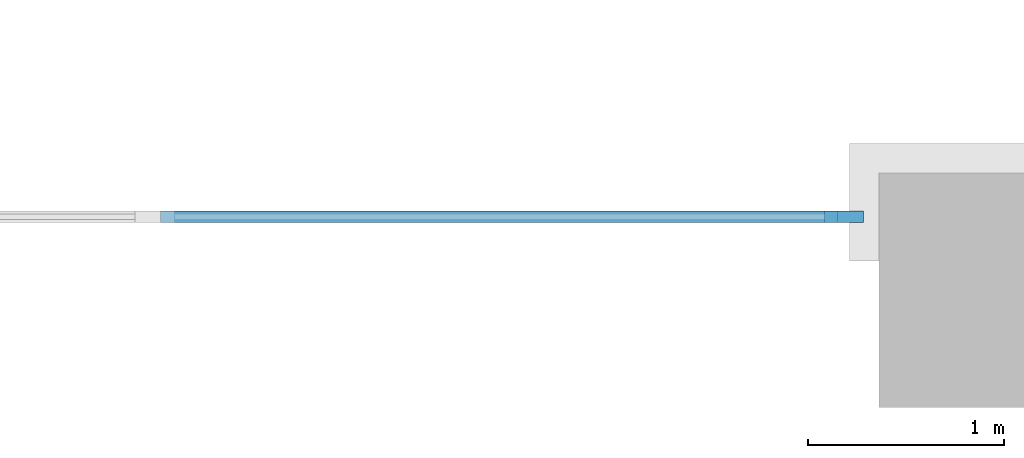
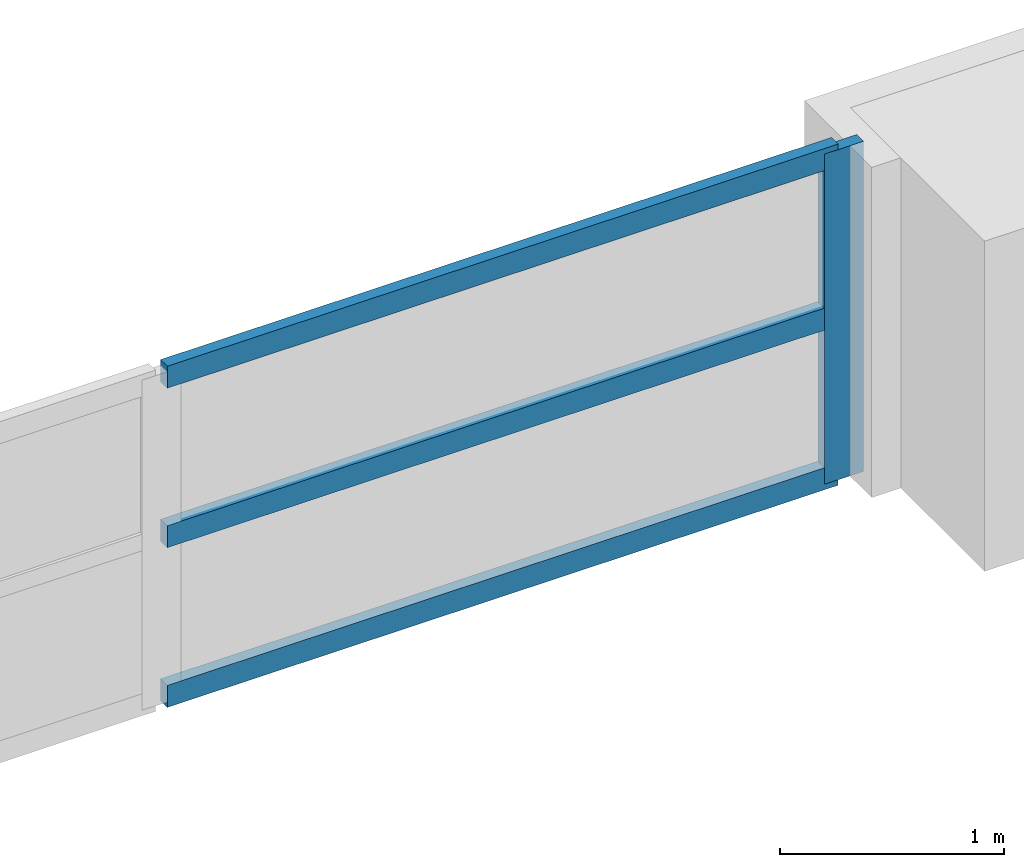
# One storey, part 7 of 32: 4 members, 1 element without a shape of its own.
"""IFC4 building model written with IfcOpenShell, lengths in metres."""

import ifcopenshell
import ifcopenshell.guid

model = None  # the IFC model being written
_history = None  # IfcOwnerHistory: only IFC2X3 demands one
_inside = {}  # id of a spatial element -> (the spatial element, [elements in it])
_under = {}  # id of a project, library or spatial element -> (it, [spatial elements below it])
_declared = {}  # id of a project -> (the project, [libraries it declares])
_typed = {}  # id of a type object -> (the type object, [elements of that type])
_made_of = {}  # id of a material, layer set ... -> (it, [elements and type objects made of it])


def new_model(schema):
    """Start an empty IFC model of exactly this schema.

    Asked for "IFC4X3", IfcOpenShell would pick the latest addendum, in which some entities
    have other attributes; the version numbers below select the first issue.
    IFC2X3 requires an IfcOwnerHistory on every rooted entity: one is made here for all.
    """
    global model, _history
    if schema == "IFC4X3":
        model = ifcopenshell.file(schema_version=(4, 3, 0, 0))
    else:
        model = ifcopenshell.file(schema=schema)
    _inside.clear()
    _under.clear()
    _declared.clear()
    _typed.clear()
    _made_of.clear()
    _history = None
    if model.schema == "IFC2X3":
        org = make("IfcOrganization", Name="unknown")
        user = make(
            "IfcPersonAndOrganization",
            ThePerson=make("IfcPerson", FamilyName="unknown"),
            TheOrganization=org,
        )
        app = make(
            "IfcApplication",
            ApplicationDeveloper=org,
            Version="unknown",
            ApplicationFullName="unknown",
            ApplicationIdentifier="unknown",
        )
        _history = make(
            "IfcOwnerHistory",
            OwningUser=user,
            OwningApplication=app,
            ChangeAction="ADDED",
            CreationDate=0,
        )
    return model


def make(cls, **values):
    """One entity of the class cls with the attributes given. An attribute that is None is left unset."""
    return model.create_entity(
        cls, **{name: value for name, value in values.items() if value is not None}
    )


def rooted(cls, **values):
    """An entity with a GlobalId (a new one), such as an element, a storey or a relation."""
    return make(cls, GlobalId=ifcopenshell.guid.new(), OwnerHistory=_history, **values)


def si_unit(unit_type, name, prefix=None):
    """IfcSIUnit, for example si_unit("LENGTHUNIT", "METRE", prefix="MILLI")."""
    return make("IfcSIUnit", UnitType=unit_type, Prefix=prefix, Name=name)


def assignment(units):
    """IfcUnitAssignment: the units of a project."""
    return None if units is None else make("IfcUnitAssignment", Units=units)


def point(xyz):
    """IfcCartesianPoint."""
    return None if xyz is None else make("IfcCartesianPoint", Coordinates=xyz)


def direction(xyz):
    """IfcDirection."""
    return None if xyz is None else make("IfcDirection", DirectionRatios=xyz)


def frame(location, z_axis=None, x_axis=None):
    """IfcAxis2Placement3D, a coordinate frame: its origin and axes. An axis left out is left unset."""
    return make(
        "IfcAxis2Placement3D",
        Location=point(location),
        Axis=direction(z_axis),
        RefDirection=direction(x_axis),
    )


def frame_2d(location, x_axis=None):
    """IfcAxis2Placement2D, a coordinate frame in the plane: its origin and x axis."""
    return make(
        "IfcAxis2Placement2D", Location=point(location), RefDirection=direction(x_axis)
    )


def origin():
    """The frame at (0, 0, 0) with its axes left unset."""
    return frame((0.0, 0.0, 0.0))


def origin_2d():
    """The frame at (0, 0) in the plane with its x axis left unset."""
    return frame_2d((0.0, 0.0))


def place(relative_to, where):
    """IfcLocalPlacement: puts the frame where relative to a parent placement (None: the world)."""
    return make(
        "IfcLocalPlacement", PlacementRelTo=relative_to, RelativePlacement=where
    )


def context(
    kind, dimensions, precision=None, world=None, true_north=None, identifier=None
):
    """IfcGeometricRepresentationContext, for example the 3D "Model" context."""
    return make(
        "IfcGeometricRepresentationContext",
        ContextIdentifier=identifier,
        ContextType=kind,
        CoordinateSpaceDimension=dimensions,
        Precision=precision,
        WorldCoordinateSystem=world,
        TrueNorth=true_north,
    )


def subcontext(parent, identifier, kind, view, scale=None):
    """IfcGeometricRepresentationSubContext, for example "Body" below "Model"."""
    return make(
        "IfcGeometricRepresentationSubContext",
        ContextIdentifier=identifier,
        ContextType=kind,
        ParentContext=parent,
        TargetScale=scale,
        TargetView=view,
    )


def project(units=None, contexts=None):
    """IfcProject with its units and contexts."""
    return rooted(
        "IfcProject",
        Name="project",
        RepresentationContexts=contexts,
        UnitsInContext=assignment(units),
    )


def spatial(cls, under=None, at=None, **own):
    """A site, building, storey or space (cls), placed at a placement, below another one or the project."""
    s = rooted(cls, ObjectPlacement=at, **own)
    if under is not None:
        _under.setdefault(under.id(), (under, []))[1].append(s)
    return s


def profile(cls, at=None, kind="AREA", **sizes):
    """A parametric profile (cls). Its sizes go by their IFC names, for example OverallWidth=200.0."""
    return make(cls, ProfileType=kind, Position=at, **sizes)


def rectangle(**sizes):
    """IfcRectangleProfileDef."""
    return profile("IfcRectangleProfileDef", **sizes)


def extrude(swept, where, along, depth):
    """IfcExtrudedAreaSolid: the profile swept, set in the frame where, extruded along a direction by depth."""
    return make(
        "IfcExtrudedAreaSolid",
        SweptArea=swept,
        Position=where,
        ExtrudedDirection=direction(along),
        Depth=depth,
    )


def shape(context_of_items, identifier, shape_type, items):
    """IfcShapeRepresentation: the items that make up one representation, for example the "Body"."""
    return make(
        "IfcShapeRepresentation",
        ContextOfItems=context_of_items,
        RepresentationIdentifier=identifier,
        RepresentationType=shape_type,
        Items=items,
    )


def material(Name=None, Category=None):
    """IfcMaterial."""
    return make("IfcMaterial", Name=Name, Category=Category)


def material_profile(
    of_material, cross_section, Name=None, Category=None, Priority=None
):
    """IfcMaterialProfile: a cross section and its material."""
    return make(
        "IfcMaterialProfile",
        Name=Name,
        Material=of_material,
        Profile=cross_section,
        Priority=Priority,
        Category=Category,
    )


def profile_set(profiles, Name=None, composite=None):
    """IfcMaterialProfileSet."""
    return make(
        "IfcMaterialProfileSet",
        Name=Name,
        MaterialProfiles=profiles,
        CompositeProfile=composite,
    )


def made_of(thing, what):
    """Note that an element or type object is made of a material, layer set ...; save() writes the relation."""
    if what is not None:
        _made_of.setdefault(what.id(), (what, []))[1].append(thing)
    return thing


def type_object(cls, material=None, **own):
    """A type object (cls), such as IfcWallType, which elements share."""
    return made_of(rooted(cls, **own), material)


def element(
    cls,
    number,
    at=None,
    inside=None,
    cuts=None,
    type_object=None,
    material=None,
    context=None,
    identifier="Body",
    shape_type=None,
    held_by="IfcProductDefinitionShape",
    body=None,
    shapes=None,
    **own,
):
    """One element of the class cls, such as IfcWall. Its Tag is "e" and its number.

    at: its placement. inside: the storey or other place that contains it. cuts: it is an
    opening in that element (IfcRelVoidsElement). A single representation is given by context,
    identifier, shape_type and body (its items); several are given by shapes. held_by: the class
    of the entity that holds the representations. save() writes the other relations.
    """
    e = rooted(cls, Tag="e%d" % number, ObjectPlacement=at, **own)
    if body is not None:
        shapes = [shape(context, identifier, shape_type, body)]
    if shapes is not None:
        e.Representation = make(held_by, Representations=shapes)
    if inside is not None:
        _inside.setdefault(inside.id(), (inside, []))[1].append(e)
    if cuts is not None:
        rooted(
            "IfcRelVoidsElement", RelatingBuildingElement=cuts, RelatedOpeningElement=e
        )
    if type_object is not None:
        _typed.setdefault(type_object.id(), (type_object, []))[1].append(e)
    return made_of(e, material)


def aggregate(whole, parts):
    """IfcRelAggregates: a whole, such as a stair, and the parts it consists of."""
    return rooted("IfcRelAggregates", RelatingObject=whole, RelatedObjects=parts)


def save(model, path):
    """Write the relations noted so far, then the file.

    IfcRelAggregates (storeys below a building ...), IfcRelContainedInSpatialStructure (elements
    in a storey), IfcRelDefinesByType, IfcRelAssociatesMaterial and IfcRelDeclares: one each for
    every whole, place, type object, material and project.
    """
    for whole, parts in _under.values():
        aggregate(whole, parts)
    for where, things in _inside.values():
        rooted(
            "IfcRelContainedInSpatialStructure",
            RelatedElements=things,
            RelatingStructure=where,
        )
    for kind, things in _typed.values():
        rooted("IfcRelDefinesByType", RelatedObjects=things, RelatingType=kind)
    for what, things in _made_of.values():
        rooted("IfcRelAssociatesMaterial", RelatedObjects=things, RelatingMaterial=what)
    for by, libraries in _declared.values():
        rooted("IfcRelDeclares", RelatingContext=by, RelatedDefinitions=libraries)
    model.write(path)


model = new_model("IFC4")

# Units and contexts
model_context = context("Model", 3, precision=1e-05, world=origin(), true_north=direction((0.0, 1.0)))
body_context = subcontext(model_context, "Body", "Model", "MODEL_VIEW")
ifc_project = project(units=[si_unit("LENGTHUNIT", "METRE"), si_unit("AREAUNIT", "SQUARE_METRE"), si_unit("VOLUMEUNIT", "CUBIC_METRE"), si_unit("PLANEANGLEUNIT", "RADIAN"), si_unit("MASSUNIT", "GRAM", prefix="KILO")], contexts=[model_context])

# Site, building, storey
site_placement = place(None, origin())
site = spatial("IfcSite", under=ifc_project, at=site_placement, CompositionType="ELEMENT")
building_placement = place(site_placement, origin())
building = spatial("IfcBuilding", under=site, at=building_placement, Name="Aravalli Gate Trade Fair Centre", CompositionType="ELEMENT")
storey_placement = place(building_placement, frame((0.0, 0.0, 23.39990234375)))
storey = spatial("IfcBuildingStorey", under=building, at=storey_placement, Name="ROOF LEVEL 1", CompositionType="ELEMENT", Elevation=23.39990234375)

# Curtain wall, members
ifc_material_1 = material(Name="Aluminium, glass and louvre", Category="aluminium")
curtain_wall_type = type_object("IfcCurtainWallType", Name="Hall crown curtain wall 3000 module", PredefinedType="NOTDEFINED", material=ifc_material_1)
curtain_wall_placement = place(storey_placement, origin())
curtain_wall = element("IfcCurtainWall", 1, at=curtain_wall_placement, inside=storey, type_object=curtain_wall_type, Name="Hall north crown curtain wall bay 7 ROOF LEVEL 1", PredefinedType="NOTDEFINED")
ifc_material_2 = material(Name="Aluminium", Category="aluminium")
ifc_material_profile_1 = material_profile(ifc_material_2, rectangle(XDim=0.06005859375, YDim=0.199951171875, at=origin_2d()), Name="Hall curtain wall mullion 60 x 200")
ifc_profile_set_1 = profile_set([ifc_material_profile_1], Name="Aluminium")
member_type_1 = type_object("IfcMemberType", Name="Hall curtain wall mullion 60 x 200", PredefinedType="MULLION", material=ifc_profile_set_1)
member_1_placement = place(storey_placement, frame((68.02001953125, 109.375, 0.0), z_axis=(0.0, 0.0, 1.0), x_axis=(0.0, 1.0, 0.0)))
member_1 = element("IfcMember", 2, at=member_1_placement, type_object=member_type_1, Name="HCW1 mullion 3", PredefinedType="MULLION", context=body_context, shape_type="SweptSolid", body=[
    extrude(rectangle(XDim=0.06005859375, YDim=0.199951171875, at=origin_2d()), origin(), (0.0, 0.0, 1.0), 1.800048828125),
])
ifc_material_profile_2 = material_profile(ifc_material_2, rectangle(XDim=0.06005859375, YDim=0.1201171875, at=origin_2d()), Name="Hall curtain wall transom 60 x 120")
ifc_profile_set_2 = profile_set([ifc_material_profile_2], Name="Aluminium")
member_type_2 = type_object("IfcMemberType", Name="Hall curtain wall transom 60 x 120", PredefinedType="USERDEFINED", material=ifc_profile_set_2)
member_2_placement = place(storey_placement, frame((64.530029296875, 109.375, 0.030029296875), z_axis=(1.0, 0.0, 0.0), x_axis=(0.0, 1.0, 0.0)))
member_2 = element("IfcMember", 3, at=member_2_placement, type_object=member_type_2, Name="HCW1 transom 2.1", ObjectType="TRANSOM", PredefinedType="USERDEFINED", context=body_context, shape_type="SweptSolid", body=[
    extrude(rectangle(XDim=0.06005859375, YDim=0.1201171875, at=origin_2d()), origin(), (0.0, 0.0, 1.0), 3.4599609375),
])
member_3_placement = place(storey_placement, frame((64.530029296875, 109.375, 0.900146484375), z_axis=(1.0, 0.0, 0.0), x_axis=(0.0, 1.0, 0.0)))
member_3 = element("IfcMember", 4, at=member_3_placement, type_object=member_type_2, Name="HCW1 transom 2.2", ObjectType="TRANSOM", PredefinedType="USERDEFINED", context=body_context, shape_type="SweptSolid", body=[
    extrude(rectangle(XDim=0.06005859375, YDim=0.1201171875, at=origin_2d()), origin(), (0.0, 0.0, 1.0), 3.4599609375),
])
member_4_placement = place(storey_placement, frame((64.530029296875, 109.375, 1.77001953125), z_axis=(1.0, 0.0, 0.0), x_axis=(0.0, 1.0, 0.0)))
member_4 = element("IfcMember", 5, at=member_4_placement, type_object=member_type_2, Name="HCW1 transom 2.3", ObjectType="TRANSOM", PredefinedType="USERDEFINED", context=body_context, shape_type="SweptSolid", body=[
    extrude(rectangle(XDim=0.06005859375, YDim=0.1201171875, at=origin_2d()), origin(), (0.0, 0.0, 1.0), 3.4599609375),
])
aggregate(curtain_wall, [member_1, member_2, member_3, member_4])

save(model, "model.ifc")
